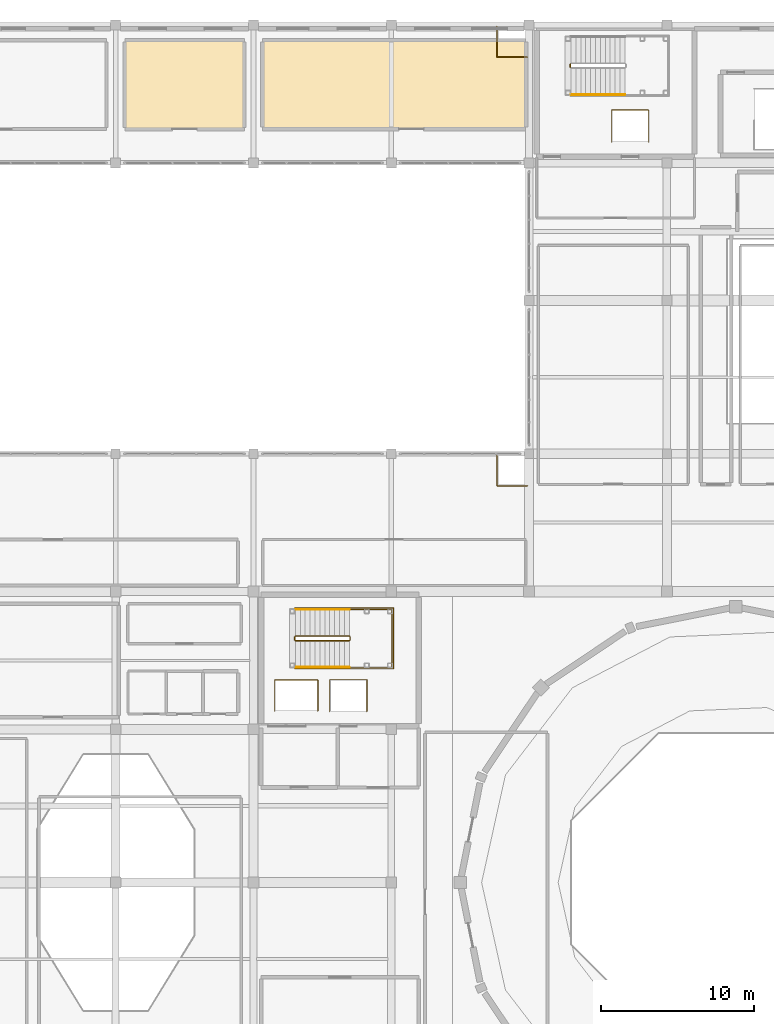
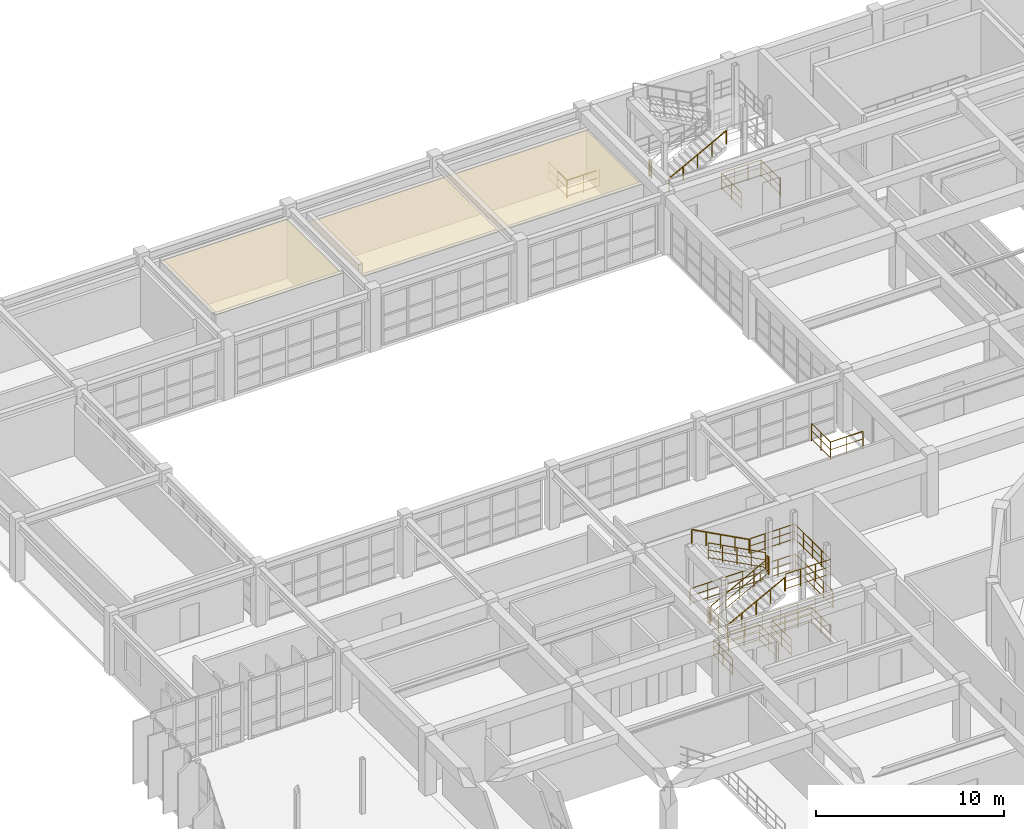
# One storey, part 107 of 110: 15 railings, 2 coverings.
"""IFC4 building model written with IfcOpenShell, lengths in metres."""

from ifc_helpers import new_model, si_unit, direction, frame, origin, origin_2d, place, context, subcontext, project, spatial, polyline, circle, outline, extrude, material, layer, layer_set, type_object, element, save


model = new_model("IFC4")

# Units and contexts
model_context = context("Model", 3, precision=1e-05, world=origin(), true_north=direction((0.0, 1.0)))
body_context = subcontext(model_context, "Body", "Model", "MODEL_VIEW")
ifc_project = project(units=[si_unit("LENGTHUNIT", "METRE"), si_unit("AREAUNIT", "SQUARE_METRE"), si_unit("VOLUMEUNIT", "CUBIC_METRE"), si_unit("PLANEANGLEUNIT", "RADIAN"), si_unit("MASSUNIT", "GRAM", prefix="KILO")], contexts=[model_context])

# Site, building, storey
site_placement = place(None, origin())
site = spatial("IfcSite", under=ifc_project, at=site_placement, CompositionType="ELEMENT")
building_placement = place(site_placement, origin())
building = spatial("IfcBuilding", under=site, at=building_placement, Name="Miravela Opera House", CompositionType="ELEMENT")
storey_placement = place(building_placement, frame((0.0, 0.0, 13.60009765625)))
storey = spatial("IfcBuildingStorey", under=building, at=storey_placement, Name="L03", CompositionType="ELEMENT", Elevation=13.60009765625)

# Coverings
ifc_material_1 = material(Name="Perforated hardwood acoustic reflector ceiling", Category="wood")
ifc_layer_1 = layer(ifc_material_1, 0.031982421875)
ifc_layer_set_1 = layer_set([ifc_layer_1])
covering_type_1 = type_object("IfcCoveringType", Name="ARC-CEIL-ACOUSTIC-32", PredefinedType="CEILING", material=ifc_layer_set_1)
covering_1_placement = place(storey_placement, frame((0.0, 0.0, 3.719970703125)))
element("IfcCovering", 1, at=covering_1_placement, inside=storey, type_object=covering_type_1, Name="Principal Ballet Rehearsal Studio 1 Acoustic Ceiling", PredefinedType="CEILING", context=body_context, shape_type="SweptSolid", body=[
    extrude(outline(polyline([(36.60009765625, 105.199951171875), (44.39990234375, 105.199951171875), (44.39990234375, 111.0), (36.60009765625, 111.0), (36.60009765625, 105.199951171875)])), origin(), (0.0, 0.0, 1.0), 0.031982421875),
])
ifc_material_2 = material(Name="Suspended acoustic gypsum board ceiling")
ifc_layer_2 = layer(ifc_material_2, 0.02392578125)
ifc_layer_set_2 = layer_set([ifc_layer_2])
covering_type_2 = type_object("IfcCoveringType", Name="ARC-CEIL-GYPSUM-24", PredefinedType="CEILING", material=ifc_layer_set_2)
covering_2_placement = place(storey_placement, frame((0.0, 0.0, 3.08984375)))
element("IfcCovering", 2, at=covering_2_placement, inside=storey, type_object=covering_type_2, Name="Corps de Ballet Sprung Studio 2 Acoustic Ceiling", PredefinedType="CEILING", context=body_context, shape_type="SweptSolid", body=[
    extrude(outline(polyline([(45.60009765625, 105.199951171875), (62.800048828125, 105.199951171875), (62.800048828125, 111.0), (45.60009765625, 111.0), (45.60009765625, 105.199951171875)])), origin(), (0.0, 0.0, 1.0), 0.024169921875),
])

# Railings
ifc_material_3 = material(Name="Brushed bronze continuous stair handrail")
railing_type_1 = type_object("IfcRailingType", Name="ARC-RAIL-HAND-900", PredefinedType="HANDRAIL", material=ifc_material_3)
railing_1_placement = place(storey_placement, frame((47.739990234375, 70.050048828125, 0.169921875)))
element("IfcRailing", 3, at=railing_1_placement, inside=storey, type_object=railing_type_1, Name="L03 ST-01 stair handrail 1", PredefinedType="HANDRAIL", context=body_context, shape_type="SweptSolid", body=[
    extrude(circle(Radius=0.02392578125, at=origin_2d()), frame((0.0, 0.0, 0.8759765625), z_axis=(0.883129994055, 0.0, 0.469128355144), x_axis=(0.0, 1.0, 0.0)), (0.0, 0.0, 1.0), 3.98583984375),
    extrude(circle(Radius=0.02099609375, at=origin_2d()), origin(), (0.0, 0.0, 1.0), 0.851806640625),
    extrude(circle(Radius=0.02099609375, at=origin_2d()), frame((0.8798828125, 0.0, 0.467529296875)), (0.0, 0.0, 1.0), 0.851806640625),
    extrude(circle(Radius=0.02099609375, at=origin_2d()), frame((1.760009765625, 0.0, 0.93505859375)), (0.0, 0.0, 1.0), 0.851806640625),
    extrude(circle(Radius=0.02099609375, at=origin_2d()), frame((2.64013671875, 0.0, 1.40234375)), (0.0, 0.0, 1.0), 0.851806640625),
    extrude(circle(Radius=0.02099609375, at=origin_2d()), frame((3.52001953125, 0.0, 1.869873046875)), (0.0, 0.0, 1.0), 0.851806640625),
])
railing_2_placement = place(storey_placement, frame((51.260009765625, 73.830078125, 2.2099609375)))
element("IfcRailing", 4, at=railing_2_placement, inside=storey, type_object=railing_type_1, Name="L03 ST-01 stair handrail 2", PredefinedType="HANDRAIL", context=body_context, shape_type="SweptSolid", body=[
    extrude(circle(Radius=0.02392578125, at=origin_2d()), frame((0.0, 0.0, 0.8759765625), z_axis=(-0.883129994055, 0.0, 0.469128355144), x_axis=(0.0, -1.0, 0.0)), (0.0, 0.0, 1.0), 3.98583984375),
    extrude(circle(Radius=0.02099609375, at=origin_2d()), origin(), (0.0, 0.0, 1.0), 0.851806640625),
    extrude(circle(Radius=0.02099609375, at=origin_2d()), frame((-0.8798828125, 0.0, 0.467529296875)), (0.0, 0.0, 1.0), 0.851806640625),
    extrude(circle(Radius=0.02099609375, at=origin_2d()), frame((-1.760009765625, 0.0, 0.93505859375)), (0.0, 0.0, 1.0), 0.851806640625),
    extrude(circle(Radius=0.02099609375, at=origin_2d()), frame((-2.64013671875, 0.0, 1.40234375)), (0.0, 0.0, 1.0), 0.851806640625),
    extrude(circle(Radius=0.02099609375, at=origin_2d()), frame((-3.52001953125, 0.0, 1.869873046875)), (0.0, 0.0, 1.0), 0.851806640625),
])
railing_3_placement = place(storey_placement, frame((65.739990234375, 107.449951171875, 0.169921875)))
element("IfcRailing", 5, at=railing_3_placement, inside=storey, type_object=railing_type_1, Name="L03 ST-05 stair handrail 1", PredefinedType="HANDRAIL", context=body_context, shape_type="SweptSolid", body=[
    extrude(circle(Radius=0.02392578125, at=origin_2d()), frame((0.0, 0.0, 0.8759765625), z_axis=(0.883129994055, 0.0, 0.469128355144), x_axis=(0.0, 1.0, 0.0)), (0.0, 0.0, 1.0), 3.98583984375),
    extrude(circle(Radius=0.02099609375, at=origin_2d()), origin(), (0.0, 0.0, 1.0), 0.851806640625),
    extrude(circle(Radius=0.02099609375, at=origin_2d()), frame((0.8798828125, 0.0, 0.467529296875)), (0.0, 0.0, 1.0), 0.851806640625),
    extrude(circle(Radius=0.02099609375, at=origin_2d()), frame((1.760009765625, 0.0, 0.93505859375)), (0.0, 0.0, 1.0), 0.851806640625),
    extrude(circle(Radius=0.02099609375, at=origin_2d()), frame((2.64013671875, 0.0, 1.40234375)), (0.0, 0.0, 1.0), 0.851806640625),
    extrude(circle(Radius=0.02099609375, at=origin_2d()), frame((3.52001953125, 0.0, 1.869873046875)), (0.0, 0.0, 1.0), 0.851806640625),
])
ifc_material_4 = material(Name="Painted wrought-iron stair guardrail")
railing_type_2 = type_object("IfcRailingType", Name="ARC-RAIL-STAIR-GUARD", PredefinedType="GUARDRAIL", material=ifc_material_4)
railing_4_placement = place(storey_placement, frame((47.739990234375, 71.7900390625, 0.169921875)))
element("IfcRailing", 6, at=railing_4_placement, inside=storey, type_object=railing_type_2, Name="L03 ST-01 stair guard 1", PredefinedType="GUARDRAIL", context=body_context, shape_type="SweptSolid", body=[
    extrude(circle(Radius=0.02392578125, at=origin_2d()), frame((0.0, 0.0, 1.076171875), z_axis=(0.883129994055, 0.0, 0.469128355144), x_axis=(0.0, 1.0, 0.0)), (0.0, 0.0, 1.0), 3.98583984375),
    extrude(circle(Radius=0.01611328125, at=origin_2d()), frame((0.0, 0.0, 0.60498046875), z_axis=(0.883129994055, 0.0, 0.469128355144), x_axis=(0.0, 1.0, 0.0)), (0.0, 0.0, 1.0), 3.98583984375),
    extrude(circle(Radius=0.01611328125, at=origin_2d()), frame((0.0, 0.0, 0.1201171875), z_axis=(0.883129994055, 0.0, 0.469128355144), x_axis=(0.0, 1.0, 0.0)), (0.0, 0.0, 1.0), 3.98583984375),
    extrude(circle(Radius=0.02099609375, at=origin_2d()), origin(), (0.0, 0.0, 1.0), 1.052001953125),
    extrude(circle(Radius=0.02099609375, at=origin_2d()), frame((0.8798828125, 0.0, 0.467529296875)), (0.0, 0.0, 1.0), 1.052001953125),
    extrude(circle(Radius=0.02099609375, at=origin_2d()), frame((1.760009765625, 0.0, 0.93505859375)), (0.0, 0.0, 1.0), 1.052001953125),
    extrude(circle(Radius=0.02099609375, at=origin_2d()), frame((2.64013671875, 0.0, 1.40234375)), (0.0, 0.0, 1.0), 1.052001953125),
    extrude(circle(Radius=0.02099609375, at=origin_2d()), frame((3.52001953125, 0.0, 1.869873046875)), (0.0, 0.0, 1.0), 1.052001953125),
])
railing_5_placement = place(storey_placement, frame((51.31005859375, 71.840087890625, 2.039794921875)))
element("IfcRailing", 7, at=railing_5_placement, inside=storey, type_object=railing_type_2, Name="L03 ST-01 stair guard 2", PredefinedType="GUARDRAIL", context=body_context, shape_type="SweptSolid", body=[
    extrude(circle(Radius=0.02392578125, at=origin_2d()), frame((0.0, 0.0, 1.076171875), z_axis=(0.0, 1.0, 0.0), x_axis=(-1.0, 0.0, 0.0)), (0.0, 0.0, 1.0), 0.199951171875),
    extrude(circle(Radius=0.01611328125, at=origin_2d()), frame((0.0, 0.0, 0.60498046875), z_axis=(0.0, 1.0, 0.0), x_axis=(-1.0, 0.0, 0.0)), (0.0, 0.0, 1.0), 0.199951171875),
    extrude(circle(Radius=0.01611328125, at=origin_2d()), frame((0.0, 0.0, 0.1201171875), z_axis=(0.0, 1.0, 0.0), x_axis=(-1.0, 0.0, 0.0)), (0.0, 0.0, 1.0), 0.199951171875),
    extrude(circle(Radius=0.02099609375, at=origin_2d()), origin(), (0.0, 0.0, 1.0), 1.052001953125),
    extrude(circle(Radius=0.02099609375, at=origin_2d()), frame((0.0, 0.199951171875, 0.0)), (0.0, 0.0, 1.0), 1.052001953125),
])
railing_6_placement = place(storey_placement, frame((51.260009765625, 72.090087890625, 2.2099609375)))
element("IfcRailing", 8, at=railing_6_placement, inside=storey, type_object=railing_type_2, Name="L03 ST-01 stair guard 3", PredefinedType="GUARDRAIL", context=body_context, shape_type="SweptSolid", body=[
    extrude(circle(Radius=0.02392578125, at=origin_2d()), frame((0.0, 0.0, 1.076171875), z_axis=(-0.883129994055, 0.0, 0.469128355144), x_axis=(0.0, -1.0, 0.0)), (0.0, 0.0, 1.0), 3.98583984375),
    extrude(circle(Radius=0.01611328125, at=origin_2d()), frame((0.0, 0.0, 0.60498046875), z_axis=(-0.883129994055, 0.0, 0.469128355144), x_axis=(0.0, -1.0, 0.0)), (0.0, 0.0, 1.0), 3.98583984375),
    extrude(circle(Radius=0.01611328125, at=origin_2d()), frame((0.0, 0.0, 0.1201171875), z_axis=(-0.883129994055, 0.0, 0.469128355144), x_axis=(0.0, -1.0, 0.0)), (0.0, 0.0, 1.0), 3.98583984375),
    extrude(circle(Radius=0.02099609375, at=origin_2d()), origin(), (0.0, 0.0, 1.0), 1.052001953125),
    extrude(circle(Radius=0.02099609375, at=origin_2d()), frame((-0.8798828125, 0.0, 0.467529296875)), (0.0, 0.0, 1.0), 1.052001953125),
    extrude(circle(Radius=0.02099609375, at=origin_2d()), frame((-1.760009765625, 0.0, 0.93505859375)), (0.0, 0.0, 1.0), 1.052001953125),
    extrude(circle(Radius=0.02099609375, at=origin_2d()), frame((-2.64013671875, 0.0, 1.40234375)), (0.0, 0.0, 1.0), 1.052001953125),
    extrude(circle(Radius=0.02099609375, at=origin_2d()), frame((-3.52001953125, 0.0, 1.869873046875)), (0.0, 0.0, 1.0), 1.052001953125),
])
railing_7_placement = place(storey_placement, frame((47.68994140625, 71.840087890625, 0.0)))
element("IfcRailing", 9, at=railing_7_placement, inside=storey, type_object=railing_type_2, Name="L03 ST-01 stair guard 4", PredefinedType="GUARDRAIL", context=body_context, shape_type="SweptSolid", body=[
    extrude(circle(Radius=0.02392578125, at=origin_2d()), frame((0.0, 0.0, 1.076171875), z_axis=(0.0, 1.0, 0.0), x_axis=(-1.0, 0.0, 0.0)), (0.0, 0.0, 1.0), 0.199951171875),
    extrude(circle(Radius=0.01611328125, at=origin_2d()), frame((0.0, 0.0, 0.60498046875), z_axis=(0.0, 1.0, 0.0), x_axis=(-1.0, 0.0, 0.0)), (0.0, 0.0, 1.0), 0.199951171875),
    extrude(circle(Radius=0.01611328125, at=origin_2d()), frame((0.0, 0.0, 0.1201171875), z_axis=(0.0, 1.0, 0.0), x_axis=(-1.0, 0.0, 0.0)), (0.0, 0.0, 1.0), 0.199951171875),
    extrude(circle(Radius=0.02099609375, at=origin_2d()), origin(), (0.0, 0.0, 1.0), 1.052001953125),
    extrude(circle(Radius=0.02099609375, at=origin_2d()), frame((0.0, 0.199951171875, 0.0)), (0.0, 0.0, 1.0), 1.052001953125),
])
railing_8_placement = place(storey_placement, frame((51.31005859375, 70.050048828125, 2.039794921875)))
element("IfcRailing", 10, at=railing_8_placement, inside=storey, type_object=railing_type_2, Name="Stair ST-01 Half-Landing Perimeter Guard (L03) 0005", PredefinedType="GUARDRAIL", context=body_context, shape_type="SweptSolid", body=[
    extrude(circle(Radius=0.02392578125, at=origin_2d()), frame((0.0, 0.0, 1.076171875), z_axis=(1.0, 0.0, 0.0), x_axis=(0.0, 1.0, 0.0)), (0.0, 0.0, 1.0), 2.739990234375),
    extrude(circle(Radius=0.01611328125, at=origin_2d()), frame((0.0, 0.0, 0.60498046875), z_axis=(1.0, 0.0, 0.0), x_axis=(0.0, 1.0, 0.0)), (0.0, 0.0, 1.0), 2.739990234375),
    extrude(circle(Radius=0.01611328125, at=origin_2d()), frame((0.0, 0.0, 0.1201171875), z_axis=(1.0, 0.0, 0.0), x_axis=(0.0, 1.0, 0.0)), (0.0, 0.0, 1.0), 2.739990234375),
    extrude(circle(Radius=0.02392578125, at=origin_2d()), frame((2.739990234375, 0.0, 1.076171875), z_axis=(0.0, 1.0, 0.0), x_axis=(-1.0, 0.0, 0.0)), (0.0, 0.0, 1.0), 3.780029296875),
    extrude(circle(Radius=0.01611328125, at=origin_2d()), frame((2.739990234375, 0.0, 0.60498046875), z_axis=(0.0, 1.0, 0.0), x_axis=(-1.0, 0.0, 0.0)), (0.0, 0.0, 1.0), 3.780029296875),
    extrude(circle(Radius=0.01611328125, at=origin_2d()), frame((2.739990234375, 0.0, 0.1201171875), z_axis=(0.0, 1.0, 0.0), x_axis=(-1.0, 0.0, 0.0)), (0.0, 0.0, 1.0), 3.780029296875),
    extrude(circle(Radius=0.02392578125, at=origin_2d()), frame((2.739990234375, 3.780029296875, 1.076171875), z_axis=(-1.0, 0.0, 0.0), x_axis=(0.0, -1.0, 0.0)), (0.0, 0.0, 1.0), 2.739990234375),
    extrude(circle(Radius=0.01611328125, at=origin_2d()), frame((2.739990234375, 3.780029296875, 0.60498046875), z_axis=(-1.0, 0.0, 0.0), x_axis=(0.0, -1.0, 0.0)), (0.0, 0.0, 1.0), 2.739990234375),
    extrude(circle(Radius=0.01611328125, at=origin_2d()), frame((2.739990234375, 3.780029296875, 0.1201171875), z_axis=(-1.0, 0.0, 0.0), x_axis=(0.0, -1.0, 0.0)), (0.0, 0.0, 1.0), 2.739990234375),
    extrude(circle(Radius=0.02099609375, at=origin_2d()), origin(), (0.0, 0.0, 1.0), 1.052001953125),
    extrude(circle(Radius=0.02099609375, at=origin_2d()), frame((0.913330078125, 0.0, 0.0)), (0.0, 0.0, 1.0), 1.052001953125),
    extrude(circle(Radius=0.02099609375, at=origin_2d()), frame((1.82666015625, 0.0, 0.0)), (0.0, 0.0, 1.0), 1.052001953125),
    extrude(circle(Radius=0.02099609375, at=origin_2d()), frame((2.739990234375, 0.0, 0.0)), (0.0, 0.0, 1.0), 1.052001953125),
    extrude(circle(Radius=0.02099609375, at=origin_2d()), frame((2.739990234375, 0.945068359375, 0.0)), (0.0, 0.0, 1.0), 1.052001953125),
    extrude(circle(Radius=0.02099609375, at=origin_2d()), frame((2.739990234375, 1.89013671875, 0.0)), (0.0, 0.0, 1.0), 1.052001953125),
    extrude(circle(Radius=0.02099609375, at=origin_2d()), frame((2.739990234375, 2.8349609375, 0.0)), (0.0, 0.0, 1.0), 1.052001953125),
    extrude(circle(Radius=0.02099609375, at=origin_2d()), frame((2.739990234375, 3.780029296875, 0.0)), (0.0, 0.0, 1.0), 1.052001953125),
    extrude(circle(Radius=0.02099609375, at=origin_2d()), frame((1.82666015625, 3.780029296875, 0.0)), (0.0, 0.0, 1.0), 1.052001953125),
    extrude(circle(Radius=0.02099609375, at=origin_2d()), frame((0.913330078125, 3.780029296875, 0.0)), (0.0, 0.0, 1.0), 1.052001953125),
    extrude(circle(Radius=0.02099609375, at=origin_2d()), frame((0.0, 3.780029296875, 0.0)), (0.0, 0.0, 1.0), 1.052001953125),
])
railing_9_placement = place(storey_placement, frame((47.68994140625, 71.8701171875, 0.0)))
element("IfcRailing", 11, at=railing_9_placement, inside=storey, type_object=railing_type_2, Name="Stair ST-01 Well Slab Opening Guard (L03) 0010", PredefinedType="GUARDRAIL", context=body_context, shape_type="SweptSolid", body=[
    extrude(circle(Radius=0.02392578125, at=origin_2d()), frame((0.0, 0.0, 1.076171875), z_axis=(0.0, -1.0, 0.0), x_axis=(1.0, 0.0, 0.0)), (0.0, 0.0, 1.0), 1.920166015625),
    extrude(circle(Radius=0.01611328125, at=origin_2d()), frame((0.0, 0.0, 0.60498046875), z_axis=(0.0, -1.0, 0.0), x_axis=(1.0, 0.0, 0.0)), (0.0, 0.0, 1.0), 1.920166015625),
    extrude(circle(Radius=0.01611328125, at=origin_2d()), frame((0.0, 0.0, 0.1201171875), z_axis=(0.0, -1.0, 0.0), x_axis=(1.0, 0.0, 0.0)), (0.0, 0.0, 1.0), 1.920166015625),
    extrude(circle(Radius=0.02392578125, at=origin_2d()), frame((0.0, -1.920166015625, 1.076171875), z_axis=(1.0, 0.0, 0.0), x_axis=(0.0, 1.0, 0.0)), (0.0, 0.0, 1.0), 6.4599609375),
    extrude(circle(Radius=0.01611328125, at=origin_2d()), frame((0.0, -1.920166015625, 0.60498046875), z_axis=(1.0, 0.0, 0.0), x_axis=(0.0, 1.0, 0.0)), (0.0, 0.0, 1.0), 6.4599609375),
    extrude(circle(Radius=0.01611328125, at=origin_2d()), frame((0.0, -1.920166015625, 0.1201171875), z_axis=(1.0, 0.0, 0.0), x_axis=(0.0, 1.0, 0.0)), (0.0, 0.0, 1.0), 6.4599609375),
    extrude(circle(Radius=0.02392578125, at=origin_2d()), frame((6.4599609375, -1.920166015625, 1.076171875), z_axis=(0.0, 1.0, 0.0), x_axis=(-1.0, 0.0, 0.0)), (0.0, 0.0, 1.0), 3.97998046875),
    extrude(circle(Radius=0.01611328125, at=origin_2d()), frame((6.4599609375, -1.920166015625, 0.60498046875), z_axis=(0.0, 1.0, 0.0), x_axis=(-1.0, 0.0, 0.0)), (0.0, 0.0, 1.0), 3.97998046875),
    extrude(circle(Radius=0.01611328125, at=origin_2d()), frame((6.4599609375, -1.920166015625, 0.1201171875), z_axis=(0.0, 1.0, 0.0), x_axis=(-1.0, 0.0, 0.0)), (0.0, 0.0, 1.0), 3.97998046875),
    extrude(circle(Radius=0.02392578125, at=origin_2d()), frame((6.4599609375, 2.059814453125, 1.076171875), z_axis=(-1.0, 0.0, 0.0), x_axis=(0.0, -1.0, 0.0)), (0.0, 0.0, 1.0), 6.4599609375),
    extrude(circle(Radius=0.01611328125, at=origin_2d()), frame((6.4599609375, 2.059814453125, 0.60498046875), z_axis=(-1.0, 0.0, 0.0), x_axis=(0.0, -1.0, 0.0)), (0.0, 0.0, 1.0), 6.4599609375),
    extrude(circle(Radius=0.01611328125, at=origin_2d()), frame((6.4599609375, 2.059814453125, 0.1201171875), z_axis=(-1.0, 0.0, 0.0), x_axis=(0.0, -1.0, 0.0)), (0.0, 0.0, 1.0), 6.4599609375),
    extrude(circle(Radius=0.02099609375, at=origin_2d()), origin(), (0.0, 0.0, 1.0), 1.052001953125),
    extrude(circle(Radius=0.02099609375, at=origin_2d()), frame((0.0, -0.9599609375, 0.0)), (0.0, 0.0, 1.0), 1.052001953125),
    extrude(circle(Radius=0.02099609375, at=origin_2d()), frame((0.0, -1.920166015625, 0.0)), (0.0, 0.0, 1.0), 1.052001953125),
    extrude(circle(Radius=0.02099609375, at=origin_2d()), frame((1.07666015625, -1.920166015625, 0.0)), (0.0, 0.0, 1.0), 1.052001953125),
    extrude(circle(Radius=0.02099609375, at=origin_2d()), frame((2.1533203125, -1.920166015625, 0.0)), (0.0, 0.0, 1.0), 1.052001953125),
    extrude(circle(Radius=0.02099609375, at=origin_2d()), frame((3.22998046875, -1.920166015625, 0.0)), (0.0, 0.0, 1.0), 1.052001953125),
    extrude(circle(Radius=0.02099609375, at=origin_2d()), frame((4.306640625, -1.920166015625, 0.0)), (0.0, 0.0, 1.0), 1.052001953125),
    extrude(circle(Radius=0.02099609375, at=origin_2d()), frame((5.38330078125, -1.920166015625, 0.0)), (0.0, 0.0, 1.0), 1.052001953125),
    extrude(circle(Radius=0.02099609375, at=origin_2d()), frame((6.4599609375, -1.920166015625, 0.0)), (0.0, 0.0, 1.0), 1.052001953125),
    extrude(circle(Radius=0.02099609375, at=origin_2d()), frame((6.4599609375, -0.92529296875, 0.0)), (0.0, 0.0, 1.0), 1.052001953125),
    extrude(circle(Radius=0.02099609375, at=origin_2d()), frame((6.4599609375, 0.06982421875, 0.0)), (0.0, 0.0, 1.0), 1.052001953125),
    extrude(circle(Radius=0.02099609375, at=origin_2d()), frame((6.4599609375, 1.06494140625, 0.0)), (0.0, 0.0, 1.0), 1.052001953125),
    extrude(circle(Radius=0.02099609375, at=origin_2d()), frame((6.4599609375, 2.059814453125, 0.0)), (0.0, 0.0, 1.0), 1.052001953125),
    extrude(circle(Radius=0.02099609375, at=origin_2d()), frame((5.38330078125, 2.059814453125, 0.0)), (0.0, 0.0, 1.0), 1.052001953125),
    extrude(circle(Radius=0.02099609375, at=origin_2d()), frame((4.306640625, 2.059814453125, 0.0)), (0.0, 0.0, 1.0), 1.052001953125),
    extrude(circle(Radius=0.02099609375, at=origin_2d()), frame((3.22998046875, 2.059814453125, 0.0)), (0.0, 0.0, 1.0), 1.052001953125),
    extrude(circle(Radius=0.02099609375, at=origin_2d()), frame((2.1533203125, 2.059814453125, 0.0)), (0.0, 0.0, 1.0), 1.052001953125),
    extrude(circle(Radius=0.02099609375, at=origin_2d()), frame((1.07666015625, 2.059814453125, 0.0)), (0.0, 0.0, 1.0), 1.052001953125),
    extrude(circle(Radius=0.02099609375, at=origin_2d()), frame((0.0, 2.059814453125, 0.0)), (0.0, 0.0, 1.0), 1.052001953125),
])
railing_10_placement = place(storey_placement, frame((65.68994140625, 109.239990234375, 0.0)))
element("IfcRailing", 12, at=railing_10_placement, inside=storey, type_object=railing_type_2, Name="L03 ST-05 stair guard 4", PredefinedType="GUARDRAIL", context=body_context, shape_type="SweptSolid", body=[
    extrude(circle(Radius=0.02392578125, at=origin_2d()), frame((0.0, 0.0, 1.076171875), z_axis=(0.0, 1.0, 0.0), x_axis=(-1.0, 0.0, 0.0)), (0.0, 0.0, 1.0), 0.199951171875),
    extrude(circle(Radius=0.01611328125, at=origin_2d()), frame((0.0, 0.0, 0.60498046875), z_axis=(0.0, 1.0, 0.0), x_axis=(-1.0, 0.0, 0.0)), (0.0, 0.0, 1.0), 0.199951171875),
    extrude(circle(Radius=0.01611328125, at=origin_2d()), frame((0.0, 0.0, 0.1201171875), z_axis=(0.0, 1.0, 0.0), x_axis=(-1.0, 0.0, 0.0)), (0.0, 0.0, 1.0), 0.199951171875),
    extrude(circle(Radius=0.02099609375, at=origin_2d()), origin(), (0.0, 0.0, 1.0), 1.052001953125),
    extrude(circle(Radius=0.02099609375, at=origin_2d()), frame((0.0, 0.199951171875, 0.0)), (0.0, 0.0, 1.0), 1.052001953125),
])
railing_11_placement = place(storey_placement, frame((46.389892578125, 67.18505859375, 0.0)))
element("IfcRailing", 13, at=railing_11_placement, inside=storey, type_object=railing_type_2, Name="Lift FFL-01 Hoistway Slab Opening Guard (L03) 0096", PredefinedType="GUARDRAIL", context=body_context, shape_type="SweptSolid", body=[
    extrude(circle(Radius=0.02392578125, at=origin_2d()), frame((0.0, 0.0, 1.076171875), z_axis=(0.0, 1.0, 0.0), x_axis=(-1.0, 0.0, 0.0)), (0.0, 0.0, 1.0), 2.030029296875),
    extrude(circle(Radius=0.01611328125, at=origin_2d()), frame((0.0, 0.0, 0.60498046875), z_axis=(0.0, 1.0, 0.0), x_axis=(-1.0, 0.0, 0.0)), (0.0, 0.0, 1.0), 2.030029296875),
    extrude(circle(Radius=0.01611328125, at=origin_2d()), frame((0.0, 0.0, 0.1201171875), z_axis=(0.0, 1.0, 0.0), x_axis=(-1.0, 0.0, 0.0)), (0.0, 0.0, 1.0), 2.030029296875),
    extrude(circle(Radius=0.02392578125, at=origin_2d()), frame((0.0, 2.030029296875, 1.076171875), z_axis=(1.0, 0.0, 0.0), x_axis=(0.0, 1.0, 0.0)), (0.0, 0.0, 1.0), 2.820068359375),
    extrude(circle(Radius=0.01611328125, at=origin_2d()), frame((0.0, 2.030029296875, 0.60498046875), z_axis=(1.0, 0.0, 0.0), x_axis=(0.0, 1.0, 0.0)), (0.0, 0.0, 1.0), 2.820068359375),
    extrude(circle(Radius=0.01611328125, at=origin_2d()), frame((0.0, 2.030029296875, 0.1201171875), z_axis=(1.0, 0.0, 0.0), x_axis=(0.0, 1.0, 0.0)), (0.0, 0.0, 1.0), 2.820068359375),
    extrude(circle(Radius=0.02392578125, at=origin_2d()), frame((2.820068359375, 2.030029296875, 1.076171875), z_axis=(0.0, -1.0, 0.0), x_axis=(1.0, 0.0, 0.0)), (0.0, 0.0, 1.0), 2.030029296875),
    extrude(circle(Radius=0.01611328125, at=origin_2d()), frame((2.820068359375, 2.030029296875, 0.60498046875), z_axis=(0.0, -1.0, 0.0), x_axis=(1.0, 0.0, 0.0)), (0.0, 0.0, 1.0), 2.030029296875),
    extrude(circle(Radius=0.01611328125, at=origin_2d()), frame((2.820068359375, 2.030029296875, 0.1201171875), z_axis=(0.0, -1.0, 0.0), x_axis=(1.0, 0.0, 0.0)), (0.0, 0.0, 1.0), 2.030029296875),
    extrude(circle(Radius=0.02099609375, at=origin_2d()), origin(), (0.0, 0.0, 1.0), 1.052001953125),
    extrude(circle(Radius=0.02099609375, at=origin_2d()), frame((0.0, 1.01513671875, 0.0)), (0.0, 0.0, 1.0), 1.052001953125),
    extrude(circle(Radius=0.02099609375, at=origin_2d()), frame((0.0, 2.030029296875, 0.0)), (0.0, 0.0, 1.0), 1.052001953125),
    extrude(circle(Radius=0.02099609375, at=origin_2d()), frame((0.93994140625, 2.030029296875, 0.0)), (0.0, 0.0, 1.0), 1.052001953125),
    extrude(circle(Radius=0.02099609375, at=origin_2d()), frame((1.880126953125, 2.030029296875, 0.0)), (0.0, 0.0, 1.0), 1.052001953125),
    extrude(circle(Radius=0.02099609375, at=origin_2d()), frame((2.820068359375, 2.030029296875, 0.0)), (0.0, 0.0, 1.0), 1.052001953125),
    extrude(circle(Radius=0.02099609375, at=origin_2d()), frame((2.820068359375, 1.01513671875, 0.0)), (0.0, 0.0, 1.0), 1.052001953125),
    extrude(circle(Radius=0.02099609375, at=origin_2d()), frame((2.820068359375, 0.0, 0.0)), (0.0, 0.0, 1.0), 1.052001953125),
])
railing_12_placement = place(storey_placement, frame((49.989990234375, 67.159912109375, 0.0)))
element("IfcRailing", 14, at=railing_12_placement, inside=storey, type_object=railing_type_2, Name="Lift PL-01 Hoistway Slab Opening Guard (L03) 0102", PredefinedType="GUARDRAIL", context=body_context, shape_type="SweptSolid", body=[
    extrude(circle(Radius=0.02392578125, at=origin_2d()), frame((0.0, 0.0, 1.076171875), z_axis=(0.0, 1.0, 0.0), x_axis=(-1.0, 0.0, 0.0)), (0.0, 0.0, 1.0), 2.080078125),
    extrude(circle(Radius=0.01611328125, at=origin_2d()), frame((0.0, 0.0, 0.60498046875), z_axis=(0.0, 1.0, 0.0), x_axis=(-1.0, 0.0, 0.0)), (0.0, 0.0, 1.0), 2.080078125),
    extrude(circle(Radius=0.01611328125, at=origin_2d()), frame((0.0, 0.0, 0.1201171875), z_axis=(0.0, 1.0, 0.0), x_axis=(-1.0, 0.0, 0.0)), (0.0, 0.0, 1.0), 2.080078125),
    extrude(circle(Radius=0.02392578125, at=origin_2d()), frame((0.0, 2.080078125, 1.076171875), z_axis=(1.0, 0.0, 0.0), x_axis=(0.0, 1.0, 0.0)), (0.0, 0.0, 1.0), 2.419921875),
    extrude(circle(Radius=0.01611328125, at=origin_2d()), frame((0.0, 2.080078125, 0.60498046875), z_axis=(1.0, 0.0, 0.0), x_axis=(0.0, 1.0, 0.0)), (0.0, 0.0, 1.0), 2.419921875),
    extrude(circle(Radius=0.01611328125, at=origin_2d()), frame((0.0, 2.080078125, 0.1201171875), z_axis=(1.0, 0.0, 0.0), x_axis=(0.0, 1.0, 0.0)), (0.0, 0.0, 1.0), 2.419921875),
    extrude(circle(Radius=0.02392578125, at=origin_2d()), frame((2.419921875, 2.080078125, 1.076171875), z_axis=(0.0, -1.0, 0.0), x_axis=(1.0, 0.0, 0.0)), (0.0, 0.0, 1.0), 2.080078125),
    extrude(circle(Radius=0.01611328125, at=origin_2d()), frame((2.419921875, 2.080078125, 0.60498046875), z_axis=(0.0, -1.0, 0.0), x_axis=(1.0, 0.0, 0.0)), (0.0, 0.0, 1.0), 2.080078125),
    extrude(circle(Radius=0.01611328125, at=origin_2d()), frame((2.419921875, 2.080078125, 0.1201171875), z_axis=(0.0, -1.0, 0.0), x_axis=(1.0, 0.0, 0.0)), (0.0, 0.0, 1.0), 2.080078125),
    extrude(circle(Radius=0.02099609375, at=origin_2d()), origin(), (0.0, 0.0, 1.0), 1.052001953125),
    extrude(circle(Radius=0.02099609375, at=origin_2d()), frame((0.0, 1.0400390625, 0.0)), (0.0, 0.0, 1.0), 1.052001953125),
    extrude(circle(Radius=0.02099609375, at=origin_2d()), frame((0.0, 2.080078125, 0.0)), (0.0, 0.0, 1.0), 1.052001953125),
    extrude(circle(Radius=0.02099609375, at=origin_2d()), frame((0.806640625, 2.080078125, 0.0)), (0.0, 0.0, 1.0), 1.052001953125),
    extrude(circle(Radius=0.02099609375, at=origin_2d()), frame((1.61328125, 2.080078125, 0.0)), (0.0, 0.0, 1.0), 1.052001953125),
    extrude(circle(Radius=0.02099609375, at=origin_2d()), frame((2.419921875, 2.080078125, 0.0)), (0.0, 0.0, 1.0), 1.052001953125),
    extrude(circle(Radius=0.02099609375, at=origin_2d()), frame((2.419921875, 1.0400390625, 0.0)), (0.0, 0.0, 1.0), 1.052001953125),
    extrude(circle(Radius=0.02099609375, at=origin_2d()), frame((2.419921875, 0.0, 0.0)), (0.0, 0.0, 1.0), 1.052001953125),
])
railing_13_placement = place(storey_placement, frame((68.389892578125, 104.360107421875, 0.0)))
element("IfcRailing", 15, at=railing_13_placement, inside=storey, type_object=railing_type_2, Name="Lift PL-04 Hoistway Slab Opening Guard (L03) 0137", PredefinedType="GUARDRAIL", context=body_context, shape_type="SweptSolid", body=[
    extrude(circle(Radius=0.02392578125, at=origin_2d()), frame((0.0, 0.0, 1.076171875), z_axis=(0.0, 1.0, 0.0), x_axis=(-1.0, 0.0, 0.0)), (0.0, 0.0, 1.0), 2.079833984375),
    extrude(circle(Radius=0.01611328125, at=origin_2d()), frame((0.0, 0.0, 0.60498046875), z_axis=(0.0, 1.0, 0.0), x_axis=(-1.0, 0.0, 0.0)), (0.0, 0.0, 1.0), 2.079833984375),
    extrude(circle(Radius=0.01611328125, at=origin_2d()), frame((0.0, 0.0, 0.1201171875), z_axis=(0.0, 1.0, 0.0), x_axis=(-1.0, 0.0, 0.0)), (0.0, 0.0, 1.0), 2.079833984375),
    extrude(circle(Radius=0.02392578125, at=origin_2d()), frame((0.0, 2.079833984375, 1.076171875), z_axis=(1.0, 0.0, 0.0), x_axis=(0.0, 1.0, 0.0)), (0.0, 0.0, 1.0), 2.420166015625),
    extrude(circle(Radius=0.01611328125, at=origin_2d()), frame((0.0, 2.079833984375, 0.60498046875), z_axis=(1.0, 0.0, 0.0), x_axis=(0.0, 1.0, 0.0)), (0.0, 0.0, 1.0), 2.420166015625),
    extrude(circle(Radius=0.01611328125, at=origin_2d()), frame((0.0, 2.079833984375, 0.1201171875), z_axis=(1.0, 0.0, 0.0), x_axis=(0.0, 1.0, 0.0)), (0.0, 0.0, 1.0), 2.420166015625),
    extrude(circle(Radius=0.02392578125, at=origin_2d()), frame((2.420166015625, 2.079833984375, 1.076171875), z_axis=(0.0, -1.0, 0.0), x_axis=(1.0, 0.0, 0.0)), (0.0, 0.0, 1.0), 2.079833984375),
    extrude(circle(Radius=0.01611328125, at=origin_2d()), frame((2.420166015625, 2.079833984375, 0.60498046875), z_axis=(0.0, -1.0, 0.0), x_axis=(1.0, 0.0, 0.0)), (0.0, 0.0, 1.0), 2.079833984375),
    extrude(circle(Radius=0.01611328125, at=origin_2d()), frame((2.420166015625, 2.079833984375, 0.1201171875), z_axis=(0.0, -1.0, 0.0), x_axis=(1.0, 0.0, 0.0)), (0.0, 0.0, 1.0), 2.079833984375),
    extrude(circle(Radius=0.02099609375, at=origin_2d()), origin(), (0.0, 0.0, 1.0), 1.052001953125),
    extrude(circle(Radius=0.02099609375, at=origin_2d()), frame((0.0, 1.0400390625, 0.0)), (0.0, 0.0, 1.0), 1.052001953125),
    extrude(circle(Radius=0.02099609375, at=origin_2d()), frame((0.0, 2.079833984375, 0.0)), (0.0, 0.0, 1.0), 1.052001953125),
    extrude(circle(Radius=0.02099609375, at=origin_2d()), frame((0.806640625, 2.079833984375, 0.0)), (0.0, 0.0, 1.0), 1.052001953125),
    extrude(circle(Radius=0.02099609375, at=origin_2d()), frame((1.613525390625, 2.079833984375, 0.0)), (0.0, 0.0, 1.0), 1.052001953125),
    extrude(circle(Radius=0.02099609375, at=origin_2d()), frame((2.420166015625, 2.079833984375, 0.0)), (0.0, 0.0, 1.0), 1.052001953125),
    extrude(circle(Radius=0.02099609375, at=origin_2d()), frame((2.420166015625, 1.0400390625, 0.0)), (0.0, 0.0, 1.0), 1.052001953125),
    extrude(circle(Radius=0.02099609375, at=origin_2d()), frame((2.420166015625, 0.0, 0.0)), (0.0, 0.0, 1.0), 1.052001953125),
])
ifc_material_5 = material(Name="Spanish Colonial wrought-iron terrace guard")
railing_type_3 = type_object("IfcRailingType", Name="ARC-RAIL-TERR-GUARD", PredefinedType="GUARDRAIL", material=ifc_material_5)
for number, where, name in (
    (16, (62.89990234375, 81.89990234375, 0.0), "SLAB-L03-V3W Stepped Corner Guardrail 0187"),
    (17, (62.89990234375, 109.89990234375, 0.0), "SLAB-L03-V3N Stepped Corner Guardrail 0188"),
):
    element("IfcRailing", number, at=place(storey_placement, frame(where)), inside=storey, type_object=railing_type_3, Name=name, PredefinedType="GUARDRAIL", context=body_context, shape_type="SweptSolid", body=[
        extrude(circle(Radius=0.02685546875, at=origin_2d()), frame((0.0, 0.0, 1.1328125), z_axis=(-1.0, 0.0, 0.0), x_axis=(0.0, -1.0, 0.0)), (0.0, 0.0, 1.0), 2.0),
        extrude(circle(Radius=0.01611328125, at=origin_2d()), frame((0.0, 0.0, 0.637939453125), z_axis=(-1.0, 0.0, 0.0), x_axis=(0.0, -1.0, 0.0)), (0.0, 0.0, 1.0), 2.0),
        extrude(circle(Radius=0.01611328125, at=origin_2d()), frame((0.0, 0.0, 0.1201171875), z_axis=(-1.0, 0.0, 0.0), x_axis=(0.0, -1.0, 0.0)), (0.0, 0.0, 1.0), 2.0),
        extrude(circle(Radius=0.02685546875, at=origin_2d()), frame((-2.0, 0.0, 1.1328125), z_axis=(0.0, 1.0, 0.0), x_axis=(-1.0, 0.0, 0.0)), (0.0, 0.0, 1.0), 2.0),
        extrude(circle(Radius=0.01611328125, at=origin_2d()), frame((-2.0, 0.0, 0.637939453125), z_axis=(0.0, 1.0, 0.0), x_axis=(-1.0, 0.0, 0.0)), (0.0, 0.0, 1.0), 2.0),
        extrude(circle(Radius=0.01611328125, at=origin_2d()), frame((-2.0, 0.0, 0.1201171875), z_axis=(0.0, 1.0, 0.0), x_axis=(-1.0, 0.0, 0.0)), (0.0, 0.0, 1.0), 2.0),
        extrude(circle(Radius=0.02099609375, at=origin_2d()), origin(), (0.0, 0.0, 1.0), 1.10595703125),
        extrude(circle(Radius=0.02099609375, at=origin_2d()), frame((-1.0, 0.0, 0.0)), (0.0, 0.0, 1.0), 1.10595703125),
        extrude(circle(Radius=0.02099609375, at=origin_2d()), frame((-2.0, 0.0, 0.0)), (0.0, 0.0, 1.0), 1.10595703125),
        extrude(circle(Radius=0.02099609375, at=origin_2d()), frame((-2.0, 1.0, 0.0)), (0.0, 0.0, 1.0), 1.10595703125),
        extrude(circle(Radius=0.02099609375, at=origin_2d()), frame((-2.0, 2.0, 0.0)), (0.0, 0.0, 1.0), 1.10595703125),
    ])

save(model, "model.ifc")
